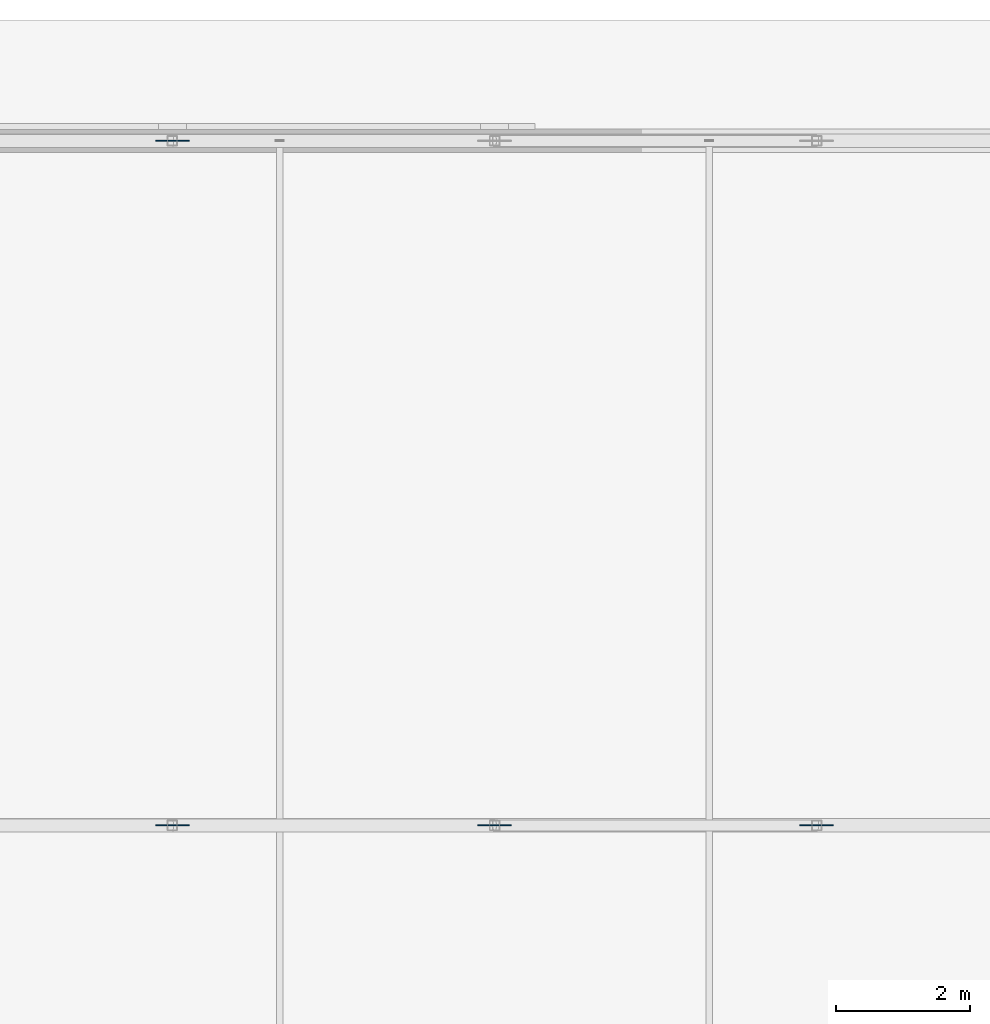
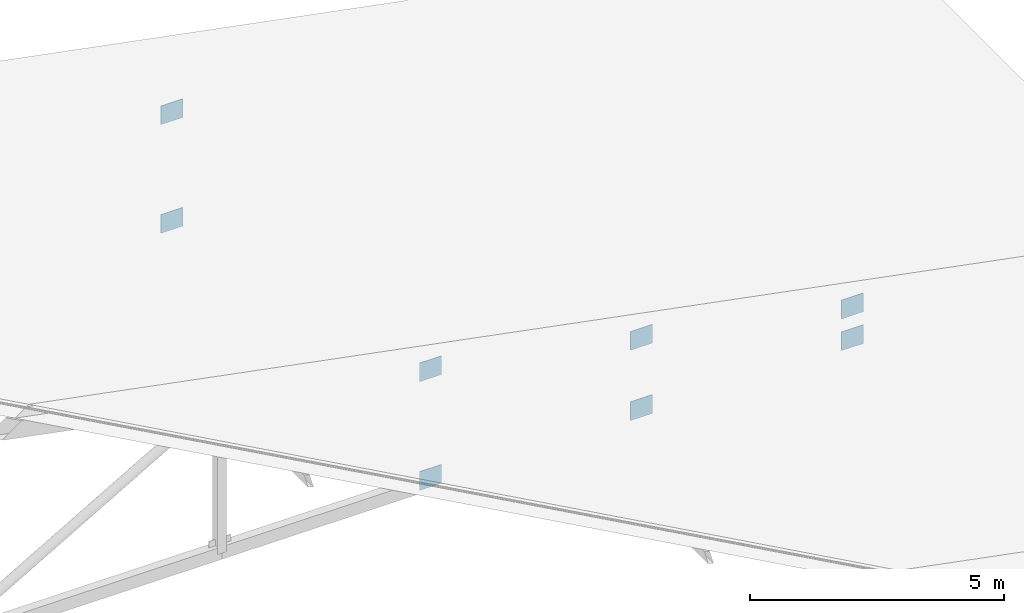
# One storey, part 167 of 200: 8 plates.
"""IFC4 building model written with IfcOpenShell, lengths in metres."""

from ifc_helpers import new_model, si_unit, direction, frame, origin, origin_2d, place, context, subcontext, project, spatial, rectangle, extrude, material, layer, layer_set, type_object, element, save


model = new_model("IFC4")

# Units and contexts
model_context = context("Model", 3, precision=1e-05, world=origin(), true_north=direction((0.0, 1.0)))
body_context = subcontext(model_context, "Body", "Model", "MODEL_VIEW")
ifc_project = project(units=[si_unit("LENGTHUNIT", "METRE"), si_unit("AREAUNIT", "SQUARE_METRE"), si_unit("VOLUMEUNIT", "CUBIC_METRE"), si_unit("PLANEANGLEUNIT", "RADIAN"), si_unit("MASSUNIT", "GRAM", prefix="KILO")], contexts=[model_context])

# Site, building, storey
site_placement = place(None, origin())
site = spatial("IfcSite", under=ifc_project, at=site_placement, CompositionType="ELEMENT")
building_placement = place(site_placement, origin())
building = spatial("IfcBuilding", under=site, at=building_placement, Name="Vondelvale Polytechnic", CompositionType="ELEMENT")
storey_placement = place(building_placement, frame((0.0, 0.0, 13.800048828125)))
storey = spatial("IfcBuildingStorey", under=building, at=storey_placement, Name="L03", CompositionType="ELEMENT", Elevation=13.800048828125)

# Plates
ifc_material = material(Name="Steel Grade 350 (fy = 340 MPa)", Category="steel")
ifc_layer = layer(ifc_material, 0.01611328125)
ifc_layer_set = layer_set([ifc_layer], Name="PLATE-GUSSET-16")
plate_type = type_object("IfcPlateType", Name="PLATE-GUSSET-16", PredefinedType="USERDEFINED", material=ifc_layer_set)
for number, where, z_axis, x_axis, name in (
    (1, (33.60009765625, 112.199951171875, 2.0498046875), (0.0, 0.0, 1.0), (1.0, 0.0, 0.0), "ROOF TRUSS top chord gusset node plate 6"),
    (2, (33.60009765625, 112.199951171875, -0.56494140625), (0.0, 0.0, 1.0), (1.0, 0.0, 0.0), "ROOF TRUSS bottom chord gusset node plate 6"),
    (3, (38.39990234375, 112.199951171875, 1.125), (0.0, 0.0, 1.0), (1.0, 0.0, 0.0), "ROOF TRUSS top chord gusset node plate 7"),
    (4, (38.39990234375, 112.199951171875, -0.56494140625), (0.0, 0.0, 1.0), (1.0, 0.0, 0.0), "ROOF TRUSS bottom chord gusset node plate 7"),
    (5, (43.199951171875, 112.199951171875, 0.2001953125), (0.0, 0.0, 1.0), (1.0, 0.0, 0.0), "ROOF TRUSS top chord gusset node plate 8"),
    (6, (43.199951171875, 112.199951171875, -0.56494140625), (0.0, 0.0, 1.0), (1.0, 0.0, 0.0), "ROOF TRUSS bottom chord gusset node plate 8"),
    (7, (33.60009765625, 122.39990234375, 2.0498046875), (0.0, 0.0, 1.0), (1.0, 0.0, 0.0), "ROOF TRUSS top chord gusset node plate 6"),
    (8, (33.60009765625, 122.39990234375, -0.56494140625), (0.0, 0.0, 1.0), (1.0, 0.0, 0.0), "ROOF TRUSS bottom chord gusset node plate 6"),
):
    element("IfcPlate", number, at=place(storey_placement, frame(where, z_axis=z_axis, x_axis=x_axis)), inside=storey, type_object=plate_type, Name=name, ObjectType="GUSSET_PLATE", PredefinedType="USERDEFINED", context=body_context, shape_type="SweptSolid", body=[
        extrude(rectangle(XDim=0.5, YDim=0.01611328125, at=origin_2d()), origin(), (0.0, 0.0, 1.0), 0.449951171875),
    ])

save(model, "model.ifc")
